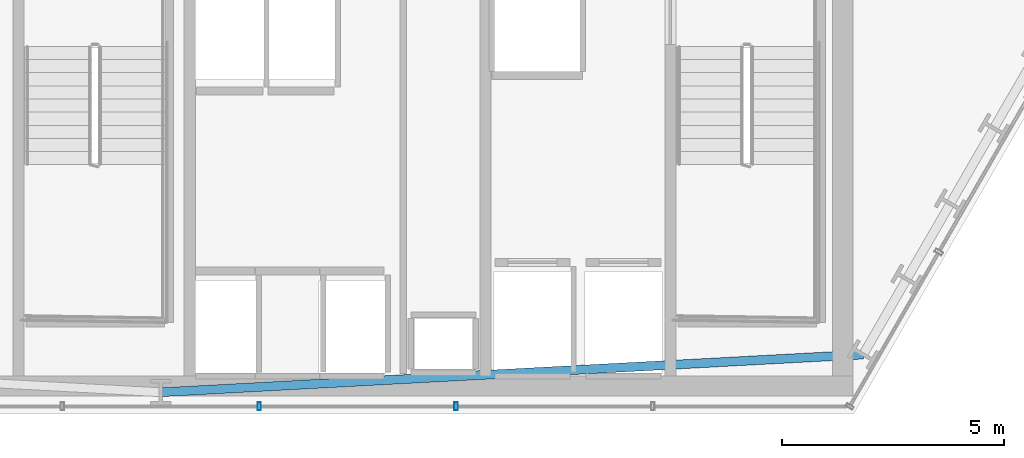
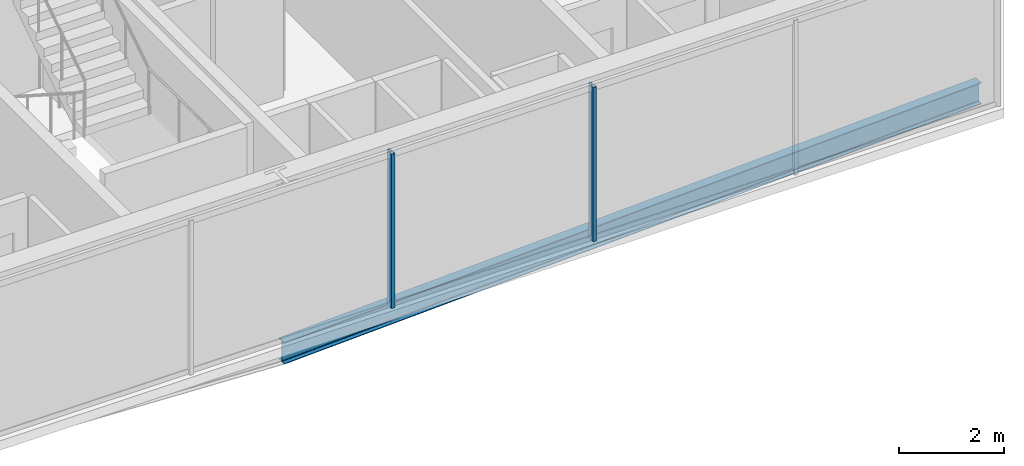
# One storey, part 8 of 32: 2 members, 1 beam, 1 element without a shape of its own.
"""IFC4 building model written with IfcOpenShell, lengths in metres."""

from ifc_helpers import new_model, si_unit, direction, frame, origin, origin_2d, place, context, subcontext, project, spatial, hollow_rectangle, i_section, extrude, material, layer, layer_set, material_profile, profile_set, type_object, element, aggregate, save


model = new_model("IFC4")

# Units and contexts
model_context = context("Model", 3, precision=1e-05, world=origin(), true_north=direction((0.0, 1.0)))
body_context = subcontext(model_context, "Body", "Model", "MODEL_VIEW")
ifc_project = project(units=[si_unit("LENGTHUNIT", "METRE"), si_unit("AREAUNIT", "SQUARE_METRE"), si_unit("VOLUMEUNIT", "CUBIC_METRE"), si_unit("PLANEANGLEUNIT", "RADIAN"), si_unit("MASSUNIT", "GRAM", prefix="KILO")], contexts=[model_context])

# Site, building, storey
site_placement = place(None, origin())
site = spatial("IfcSite", under=ifc_project, at=site_placement, CompositionType="ELEMENT")
building_placement = place(site_placement, origin())
building = spatial("IfcBuilding", under=site, at=building_placement, Name="Ndaravel Arena Tower", CompositionType="ELEMENT")
storey_placement = place(building_placement, frame((0.0, 0.0, 47.39990234375)))
storey = spatial("IfcBuildingStorey", under=building, at=storey_placement, Name="L09", CompositionType="ELEMENT", Elevation=47.39990234375)

# Beam
ifc_material_1 = material(Name="Steel S355", Category="steel")
ifc_material_profile_1 = material_profile(ifc_material_1, i_section(OverallWidth=0.199951171875, OverallDepth=0.5, WebThickness=0.01025390625, FlangeThickness=0.01611328125, FilletRadius=0.02099609375, at=origin_2d()), Name="IPE 500")
ifc_profile_set_1 = profile_set([ifc_material_profile_1], Name="Steel S355")
beam_type = type_object("IfcBeamType", Name="BM-SPAN-IPE500", PredefinedType="SPANDREL", material=ifc_profile_set_1)
beam_placement = place(storey_placement, frame((42.0, 5.47998046875, -0.469970703125), z_axis=(0.998561982084, 0.053609401572, 0.0), x_axis=(-0.053609401572, 0.998561982084, 0.0)))
element("IfcBeam", 1, at=beam_placement, inside=storey, type_object=beam_type, Name="L09 Perimeter Spandrel Beam SP-01", PredefinedType="SPANDREL", context=body_context, shape_type="SweptSolid", body=[
    extrude(i_section(OverallWidth=0.199951171875, OverallDepth=0.5, WebThickness=0.01025390625, FlangeThickness=0.01611328125, FilletRadius=0.02099609375, at=origin_2d()), origin(), (0.0, 0.0, 1.0), 15.80712890625),
])

# Curtain wall, members
ifc_material_2 = material(Name="Aluminium", Category="aluminium")
ifc_layer = layer(ifc_material_2, 0.179931640625)
ifc_layer_set = layer_set([ifc_layer], Name="Aluminium")
curtain_wall_type = type_object("IfcCurtainWallType", Name="CW-SYS-03", PredefinedType="NOTDEFINED", material=ifc_layer_set)
curtain_wall_placement = place(storey_placement, origin())
curtain_wall = element("IfcCurtainWall", 2, at=curtain_wall_placement, inside=storey, type_object=curtain_wall_type, Name="L09 Faceted Crystal Curtain Wall CW-L09-E01", PredefinedType="NOTDEFINED")
ifc_material_3 = material(Name="Aluminium", Category="aluminium")
ifc_material_profile_2 = material_profile(ifc_material_3, hollow_rectangle(XDim=0.074951171875, YDim=0.179931640625, WallThickness=0.00390625, at=origin_2d()), Name="CW MULLION 75x180x4")
ifc_profile_set_2 = profile_set([ifc_material_profile_2], Name="Aluminium")
member_type = type_object("IfcMemberType", Name="MEM-CW-MUL180", PredefinedType="MULLION", material=ifc_profile_set_2)
member_1_placement = place(storey_placement, frame((44.21142578125, 5.159912109375, 0.0), z_axis=(0.0, 0.0, 1.0), x_axis=(1.0, 0.0, 0.0)))
member_1 = element("IfcMember", 3, at=member_1_placement, type_object=member_type, Name="CW-L09-E01 Mullion 04", PredefinedType="MULLION", context=body_context, shape_type="SweptSolid", body=[
    extrude(hollow_rectangle(XDim=0.074951171875, YDim=0.179931640625, WallThickness=0.00390625, at=origin_2d()), origin(), (0.0, 0.0, 1.0), 3.580078125),
])
member_2_placement = place(storey_placement, frame((48.63427734375, 5.159912109375, 0.0), z_axis=(0.0, 0.0, 1.0), x_axis=(1.0, 0.0, 0.0)))
member_2 = element("IfcMember", 4, at=member_2_placement, type_object=member_type, Name="CW-L09-E01 Mullion 05", PredefinedType="MULLION", context=body_context, shape_type="SweptSolid", body=[
    extrude(hollow_rectangle(XDim=0.074951171875, YDim=0.179931640625, WallThickness=0.00390625, at=origin_2d()), origin(), (0.0, 0.0, 1.0), 3.580078125),
])
aggregate(curtain_wall, [member_1, member_2])

save(model, "model.ifc")
